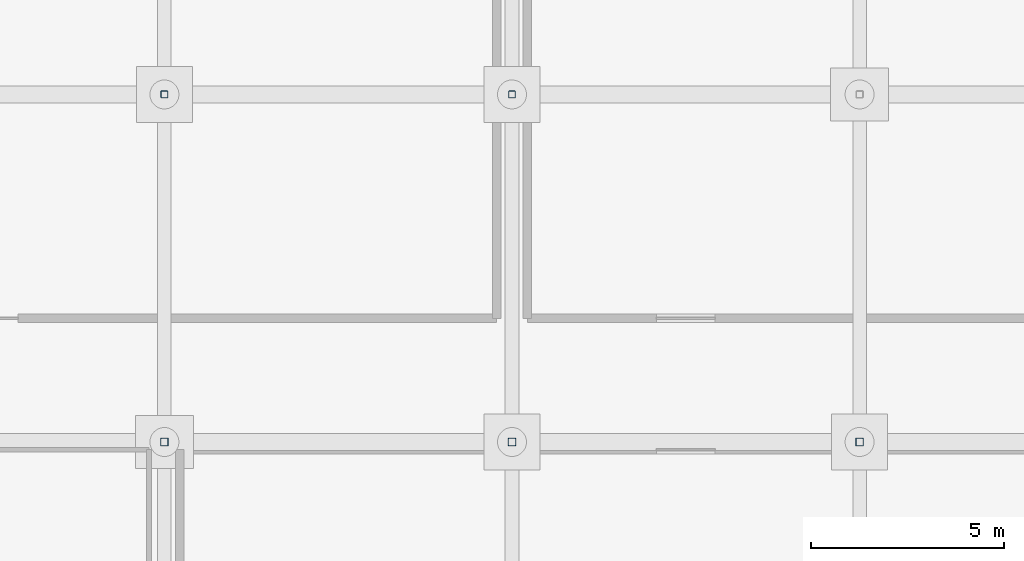
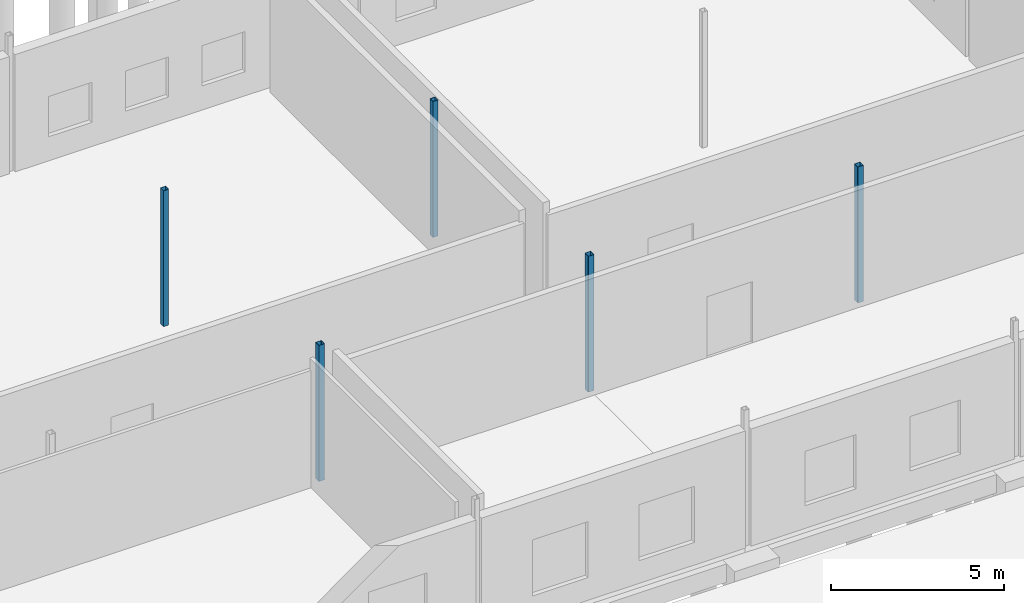
# One storey, part 40 of 112: 5 columns.
"""IFC4 building model written with IfcOpenShell, lengths in metres."""

from ifc_helpers import new_model, si_unit, direction, frame, origin, origin_2d, place, context, subcontext, project, spatial, hollow_rectangle, extrude, material, material_profile, profile_set, type_object, element, save


model = new_model("IFC4")

# Units and contexts
model_context = context("Model", 3, precision=1e-05, world=origin(), true_north=direction((0.0, 1.0)))
body_context = subcontext(model_context, "Body", "Model", "MODEL_VIEW")
ifc_project = project(units=[si_unit("LENGTHUNIT", "METRE"), si_unit("AREAUNIT", "SQUARE_METRE"), si_unit("VOLUMEUNIT", "CUBIC_METRE"), si_unit("PLANEANGLEUNIT", "RADIAN"), si_unit("MASSUNIT", "GRAM", prefix="KILO")], contexts=[model_context])

# Site, building, storey
site_placement = place(None, origin())
site = spatial("IfcSite", under=ifc_project, at=site_placement, CompositionType="ELEMENT")
building_placement = place(site_placement, origin())
building = spatial("IfcBuilding", under=site, at=building_placement, Name="Tharagai Park Tramway Depot", CompositionType="ELEMENT")
storey_placement = place(building_placement, origin())
storey = spatial("IfcBuildingStorey", under=building, at=storey_placement, Name="L00", CompositionType="ELEMENT", Elevation=0.0)

# Columns
ifc_material = material(Name="Steel E350", Category="steel")
ifc_material_profile_1 = material_profile(ifc_material, hollow_rectangle(XDim=0.179931640625, YDim=0.179931640625, WallThickness=0.008056640625, InnerFilletRadius=0.008056640625, OuterFilletRadius=0.01611328125, at=origin_2d()), Name="SHS 180x180x8")
ifc_profile_set_1 = profile_set([ifc_material_profile_1], Name="Steel E350")
column_type_1 = type_object("IfcColumnType", Name="CL-04", PredefinedType="COLUMN", material=ifc_profile_set_1)
for number, where, z_axis, x_axis, name in (
    (1, (189.0, 72.0, 0.0), (0.0, 0.0, 1.0), (1.0, 0.0, 0.0), "L00 Structural Column CL-04 (189,72)"),
    (2, (198.0, 72.0, 0.0), (0.0, 0.0, 1.0), (1.0, 0.0, 0.0), "L00 Structural Column CL-04 (198,72)"),
):
    element("IfcColumn", number, at=place(storey_placement, frame(where, z_axis=z_axis, x_axis=x_axis)), inside=storey, type_object=column_type_1, Name=name, PredefinedType="COLUMN", context=body_context, shape_type="SweptSolid", body=[
        extrude(hollow_rectangle(XDim=0.179931640625, YDim=0.179931640625, WallThickness=0.008056640625, InnerFilletRadius=0.008056640625, OuterFilletRadius=0.01611328125, at=origin_2d()), origin(), (0.0, 0.0, 1.0), 4.800048828125),
    ])
ifc_material_profile_2 = material_profile(ifc_material, hollow_rectangle(XDim=0.199951171875, YDim=0.199951171875, WallThickness=0.008056640625, InnerFilletRadius=0.008056640625, OuterFilletRadius=0.01611328125, at=origin_2d()), Name="SHS 200x200x8")
ifc_profile_set_2 = profile_set([ifc_material_profile_2], Name="Steel E350")
column_type_2 = type_object("IfcColumnType", Name="CL-11", PredefinedType="COLUMN", material=ifc_profile_set_2)
for number, where, z_axis, x_axis, name in (
    (3, (189.0, 63.0, 0.0), (0.0, 0.0, 1.0), (1.0, 0.0, 0.0), "L00 Structural Column CL-11 (189,63)"),
    (4, (198.0, 63.0, 0.0), (0.0, 0.0, 1.0), (1.0, 0.0, 0.0), "L00 Structural Column CL-11 (198,63)"),
    (5, (207.0, 63.0, 0.0), (0.0, 0.0, 1.0), (1.0, 0.0, 0.0), "L00 Structural Column CL-11 (207,63)"),
):
    element("IfcColumn", number, at=place(storey_placement, frame(where, z_axis=z_axis, x_axis=x_axis)), inside=storey, type_object=column_type_2, Name=name, PredefinedType="COLUMN", context=body_context, shape_type="SweptSolid", body=[
        extrude(hollow_rectangle(XDim=0.199951171875, YDim=0.199951171875, WallThickness=0.008056640625, InnerFilletRadius=0.008056640625, OuterFilletRadius=0.01611328125, at=origin_2d()), origin(), (0.0, 0.0, 1.0), 4.800048828125),
    ])

save(model, "model.ifc")
